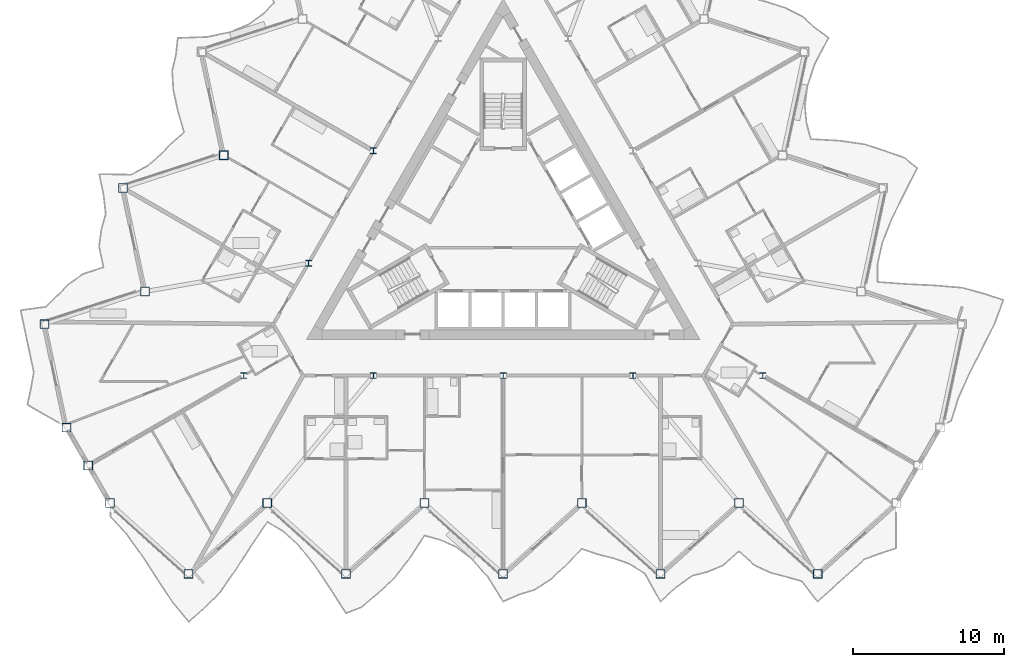
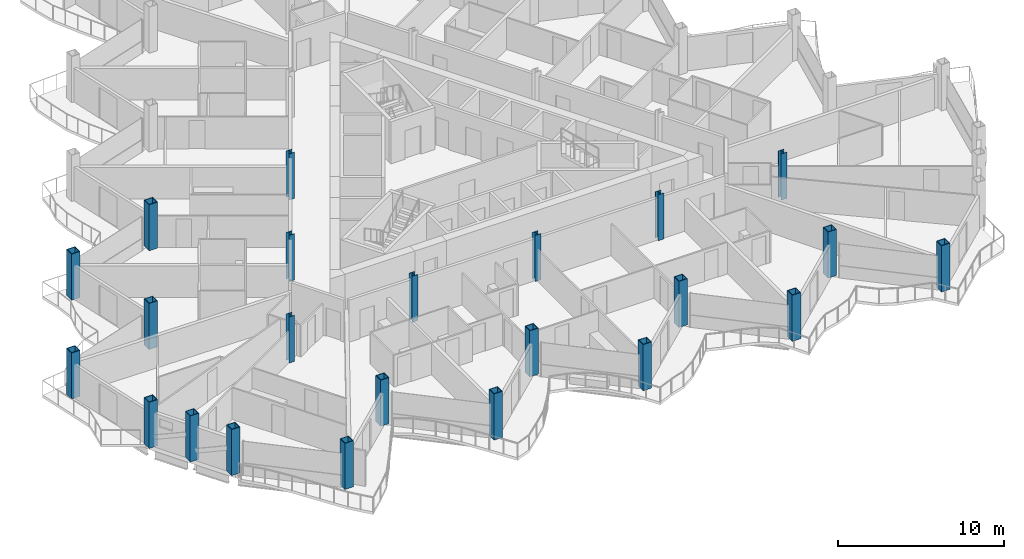
# One storey, part 1 of 27: 23 columns.
"""IFC4 building model written with IfcOpenShell, lengths in metres."""

import ifcopenshell
import ifcopenshell.guid

model = None  # the IFC model being written
_history = None  # IfcOwnerHistory: only IFC2X3 demands one
_inside = {}  # id of a spatial element -> (the spatial element, [elements in it])
_under = {}  # id of a project, library or spatial element -> (it, [spatial elements below it])
_declared = {}  # id of a project -> (the project, [libraries it declares])
_typed = {}  # id of a type object -> (the type object, [elements of that type])
_made_of = {}  # id of a material, layer set ... -> (it, [elements and type objects made of it])


def new_model(schema):
    """Start an empty IFC model of exactly this schema.

    Asked for "IFC4X3", IfcOpenShell would pick the latest addendum, in which some entities
    have other attributes; the version numbers below select the first issue.
    IFC2X3 requires an IfcOwnerHistory on every rooted entity: one is made here for all.
    """
    global model, _history
    if schema == "IFC4X3":
        model = ifcopenshell.file(schema_version=(4, 3, 0, 0))
    else:
        model = ifcopenshell.file(schema=schema)
    _inside.clear()
    _under.clear()
    _declared.clear()
    _typed.clear()
    _made_of.clear()
    _history = None
    if model.schema == "IFC2X3":
        org = make("IfcOrganization", Name="unknown")
        user = make(
            "IfcPersonAndOrganization",
            ThePerson=make("IfcPerson", FamilyName="unknown"),
            TheOrganization=org,
        )
        app = make(
            "IfcApplication",
            ApplicationDeveloper=org,
            Version="unknown",
            ApplicationFullName="unknown",
            ApplicationIdentifier="unknown",
        )
        _history = make(
            "IfcOwnerHistory",
            OwningUser=user,
            OwningApplication=app,
            ChangeAction="ADDED",
            CreationDate=0,
        )
    return model


def make(cls, **values):
    """One entity of the class cls with the attributes given. An attribute that is None is left unset."""
    return model.create_entity(
        cls, **{name: value for name, value in values.items() if value is not None}
    )


def rooted(cls, **values):
    """An entity with a GlobalId (a new one), such as an element, a storey or a relation."""
    return make(cls, GlobalId=ifcopenshell.guid.new(), OwnerHistory=_history, **values)


def si_unit(unit_type, name, prefix=None):
    """IfcSIUnit, for example si_unit("LENGTHUNIT", "METRE", prefix="MILLI")."""
    return make("IfcSIUnit", UnitType=unit_type, Prefix=prefix, Name=name)


def assignment(units):
    """IfcUnitAssignment: the units of a project."""
    return None if units is None else make("IfcUnitAssignment", Units=units)


def point(xyz):
    """IfcCartesianPoint."""
    return None if xyz is None else make("IfcCartesianPoint", Coordinates=xyz)


def direction(xyz):
    """IfcDirection."""
    return None if xyz is None else make("IfcDirection", DirectionRatios=xyz)


def frame(location, z_axis=None, x_axis=None):
    """IfcAxis2Placement3D, a coordinate frame: its origin and axes. An axis left out is left unset."""
    return make(
        "IfcAxis2Placement3D",
        Location=point(location),
        Axis=direction(z_axis),
        RefDirection=direction(x_axis),
    )


def frame_2d(location, x_axis=None):
    """IfcAxis2Placement2D, a coordinate frame in the plane: its origin and x axis."""
    return make(
        "IfcAxis2Placement2D", Location=point(location), RefDirection=direction(x_axis)
    )


def origin():
    """The frame at (0, 0, 0) with its axes left unset."""
    return frame((0.0, 0.0, 0.0))


def origin_2d():
    """The frame at (0, 0) in the plane with its x axis left unset."""
    return frame_2d((0.0, 0.0))


def place(relative_to, where):
    """IfcLocalPlacement: puts the frame where relative to a parent placement (None: the world)."""
    return make(
        "IfcLocalPlacement", PlacementRelTo=relative_to, RelativePlacement=where
    )


def context(
    kind, dimensions, precision=None, world=None, true_north=None, identifier=None
):
    """IfcGeometricRepresentationContext, for example the 3D "Model" context."""
    return make(
        "IfcGeometricRepresentationContext",
        ContextIdentifier=identifier,
        ContextType=kind,
        CoordinateSpaceDimension=dimensions,
        Precision=precision,
        WorldCoordinateSystem=world,
        TrueNorth=true_north,
    )


def subcontext(parent, identifier, kind, view, scale=None):
    """IfcGeometricRepresentationSubContext, for example "Body" below "Model"."""
    return make(
        "IfcGeometricRepresentationSubContext",
        ContextIdentifier=identifier,
        ContextType=kind,
        ParentContext=parent,
        TargetScale=scale,
        TargetView=view,
    )


def project(units=None, contexts=None):
    """IfcProject with its units and contexts."""
    return rooted(
        "IfcProject",
        Name="project",
        RepresentationContexts=contexts,
        UnitsInContext=assignment(units),
    )


def spatial(cls, under=None, at=None, **own):
    """A site, building, storey or space (cls), placed at a placement, below another one or the project."""
    s = rooted(cls, ObjectPlacement=at, **own)
    if under is not None:
        _under.setdefault(under.id(), (under, []))[1].append(s)
    return s


def profile(cls, at=None, kind="AREA", **sizes):
    """A parametric profile (cls). Its sizes go by their IFC names, for example OverallWidth=200.0."""
    return make(cls, ProfileType=kind, Position=at, **sizes)


def hollow_rectangle(**sizes):
    """IfcRectangleHollowProfileDef."""
    return profile("IfcRectangleHollowProfileDef", **sizes)


def i_section(**sizes):
    """IfcIShapeProfileDef."""
    return profile("IfcIShapeProfileDef", **sizes)


def extrude(swept, where, along, depth):
    """IfcExtrudedAreaSolid: the profile swept, set in the frame where, extruded along a direction by depth."""
    return make(
        "IfcExtrudedAreaSolid",
        SweptArea=swept,
        Position=where,
        ExtrudedDirection=direction(along),
        Depth=depth,
    )


def shape(context_of_items, identifier, shape_type, items):
    """IfcShapeRepresentation: the items that make up one representation, for example the "Body"."""
    return make(
        "IfcShapeRepresentation",
        ContextOfItems=context_of_items,
        RepresentationIdentifier=identifier,
        RepresentationType=shape_type,
        Items=items,
    )


def material(Name=None, Category=None):
    """IfcMaterial."""
    return make("IfcMaterial", Name=Name, Category=Category)


def material_profile(
    of_material, cross_section, Name=None, Category=None, Priority=None
):
    """IfcMaterialProfile: a cross section and its material."""
    return make(
        "IfcMaterialProfile",
        Name=Name,
        Material=of_material,
        Profile=cross_section,
        Priority=Priority,
        Category=Category,
    )


def profile_set(profiles, Name=None, composite=None):
    """IfcMaterialProfileSet."""
    return make(
        "IfcMaterialProfileSet",
        Name=Name,
        MaterialProfiles=profiles,
        CompositeProfile=composite,
    )


def made_of(thing, what):
    """Note that an element or type object is made of a material, layer set ...; save() writes the relation."""
    if what is not None:
        _made_of.setdefault(what.id(), (what, []))[1].append(thing)
    return thing


def type_object(cls, material=None, **own):
    """A type object (cls), such as IfcWallType, which elements share."""
    return made_of(rooted(cls, **own), material)


def element(
    cls,
    number,
    at=None,
    inside=None,
    cuts=None,
    type_object=None,
    material=None,
    context=None,
    identifier="Body",
    shape_type=None,
    held_by="IfcProductDefinitionShape",
    body=None,
    shapes=None,
    **own,
):
    """One element of the class cls, such as IfcWall. Its Tag is "e" and its number.

    at: its placement. inside: the storey or other place that contains it. cuts: it is an
    opening in that element (IfcRelVoidsElement). A single representation is given by context,
    identifier, shape_type and body (its items); several are given by shapes. held_by: the class
    of the entity that holds the representations. save() writes the other relations.
    """
    e = rooted(cls, Tag="e%d" % number, ObjectPlacement=at, **own)
    if body is not None:
        shapes = [shape(context, identifier, shape_type, body)]
    if shapes is not None:
        e.Representation = make(held_by, Representations=shapes)
    if inside is not None:
        _inside.setdefault(inside.id(), (inside, []))[1].append(e)
    if cuts is not None:
        rooted(
            "IfcRelVoidsElement", RelatingBuildingElement=cuts, RelatedOpeningElement=e
        )
    if type_object is not None:
        _typed.setdefault(type_object.id(), (type_object, []))[1].append(e)
    return made_of(e, material)


def aggregate(whole, parts):
    """IfcRelAggregates: a whole, such as a stair, and the parts it consists of."""
    return rooted("IfcRelAggregates", RelatingObject=whole, RelatedObjects=parts)


def save(model, path):
    """Write the relations noted so far, then the file.

    IfcRelAggregates (storeys below a building ...), IfcRelContainedInSpatialStructure (elements
    in a storey), IfcRelDefinesByType, IfcRelAssociatesMaterial and IfcRelDeclares: one each for
    every whole, place, type object, material and project.
    """
    for whole, parts in _under.values():
        aggregate(whole, parts)
    for where, things in _inside.values():
        rooted(
            "IfcRelContainedInSpatialStructure",
            RelatedElements=things,
            RelatingStructure=where,
        )
    for kind, things in _typed.values():
        rooted("IfcRelDefinesByType", RelatedObjects=things, RelatingType=kind)
    for what, things in _made_of.values():
        rooted("IfcRelAssociatesMaterial", RelatedObjects=things, RelatingMaterial=what)
    for by, libraries in _declared.values():
        rooted("IfcRelDeclares", RelatingContext=by, RelatedDefinitions=libraries)
    model.write(path)


model = new_model("IFC4")

# Units and contexts
model_context = context("Model", 3, precision=1e-05, world=origin(), true_north=direction((0.0, 1.0)))
body_context = subcontext(model_context, "Body", "Model", "MODEL_VIEW")
ifc_project = project(units=[si_unit("LENGTHUNIT", "METRE"), si_unit("AREAUNIT", "SQUARE_METRE"), si_unit("VOLUMEUNIT", "CUBIC_METRE"), si_unit("PLANEANGLEUNIT", "RADIAN"), si_unit("MASSUNIT", "GRAM", prefix="KILO")], contexts=[model_context])

# Site, building, storey
site_placement = place(None, origin())
site = spatial("IfcSite", under=ifc_project, at=site_placement, CompositionType="ELEMENT")
building_placement = place(site_placement, origin())
building = spatial("IfcBuilding", under=site, at=building_placement, Name="Cormorant Prow Tower", CompositionType="ELEMENT")
storey_placement = place(building_placement, frame((0.0, 0.0, 335.800048828125)))
storey = spatial("IfcBuildingStorey", under=building, at=storey_placement, Name="L75", CompositionType="ELEMENT", Elevation=335.800048828125)

# Columns
ifc_material_1 = material(Name="Structural steel ASTM A572 Gr 50", Category="steel")
ifc_material_profile_1 = material_profile(ifc_material_1, hollow_rectangle(XDim=0.60009765625, YDim=0.60009765625, WallThickness=0.0400390625, at=origin_2d()), Name="Box 600x600x40")
ifc_profile_set_1 = profile_set([ifc_material_profile_1], Name="Structural steel ASTM A572 Gr 50")
column_type_1 = type_object("IfcColumnType", Name="Perimeter box column 600x600x40", PredefinedType="COLUMN", material=ifc_profile_set_1)
for number, where, z_axis, x_axis, name in (
    (1, (-25.995361328125, -18.326904296875, 0.0), (0.0, 0.0, 1.0), (1.0, 0.0, 0.0), "Perimeter column C6 at S00 L75"),
    (2, (-20.79638671875, -23.008056640625, 0.0), (0.0, 0.0, 1.0), (1.0, 0.0, 0.0), "Perimeter column C6 at S01 L75"),
    (3, (-15.59716796875, -18.326904296875, 0.0), (0.0, 0.0, 1.0), (1.0, 0.0, 0.0), "Perimeter column C6 at S02 L75"),
    (4, (-10.398193359375, -23.008056640625, 0.0), (0.0, 0.0, 1.0), (1.0, 0.0, 0.0), "Perimeter column C6 at S03 L75"),
    (5, (-5.198974609375, -18.326904296875, 0.0), (0.0, 0.0, 1.0), (1.0, 0.0, 0.0), "Perimeter column C6 at S04 L75"),
    (6, (0.0, -23.008056640625, 0.0), (0.0, 0.0, 1.0), (1.0, 0.0, 0.0), "Perimeter column C6 at S05 L75"),
    (7, (5.198974609375, -18.326904296875, 0.0), (0.0, 0.0, 1.0), (1.0, 0.0, 0.0), "Perimeter column C6 at S06 L75"),
    (8, (10.398193359375, -23.008056640625, 0.0), (0.0, 0.0, 1.0), (1.0, 0.0, 0.0), "Perimeter column C6 at S07 L75"),
    (9, (15.59716796875, -18.326904296875, 0.0), (0.0, 0.0, 1.0), (1.0, 0.0, 0.0), "Perimeter column C6 at S08 L75"),
    (10, (20.79638671875, -23.008056640625, 0.0), (0.0, 0.0, 1.0), (1.0, 0.0, 0.0), "Perimeter column C6 at S09 L75"),
    (11, (-18.470947265625, 4.660888671875, 0.0), (0.0, 0.0, 1.0), (1.0, 0.0, 0.0), "Perimeter column C6 at WNW06 L75"),
    (12, (-25.124755859375, 2.4990234375, 0.0), (0.0, 0.0, 1.0), (1.0, 0.0, 0.0), "Perimeter column C6 at WNW07 L75"),
    (13, (-23.670166015625, -4.34423828125, 0.0), (0.0, 0.0, 1.0), (1.0, 0.0, 0.0), "Perimeter column C6 at WNW08 L75"),
    (14, (-30.32373046875, -6.506103515625, 0.0), (0.0, 0.0, 1.0), (1.0, 0.0, 0.0), "Perimeter column C6 at WNW09 L75"),
    (15, (-28.869140625, -13.349365234375, 0.0), (0.0, 0.0, 1.0), (1.0, 0.0, 0.0), "Perimeter column C6 at WSW00 L75"),
    (16, (-27.432373046875, -15.838134765625, 0.0), (0.0, 0.0, 1.0), (1.0, 0.0, 0.0), "Perimeter column C6 at WSW01 L75"),
):
    element("IfcColumn", number, at=place(storey_placement, frame(where, z_axis=z_axis, x_axis=x_axis)), inside=storey, type_object=column_type_1, Name=name, PredefinedType="COLUMN", context=body_context, shape_type="SweptSolid", body=[
        extrude(hollow_rectangle(XDim=0.60009765625, YDim=0.60009765625, WallThickness=0.0400390625, at=origin_2d()), origin(), (0.0, 0.0, 1.0), 3.39990234375),
    ])
ifc_material_2 = material(Name="Structural steel ASTM A992 Gr 50", Category="steel")
ifc_material_profile_2 = material_profile(ifc_material_2, i_section(OverallWidth=0.3955078125, OverallDepth=0.380615234375, WebThickness=0.018798828125, FlangeThickness=0.0302734375, at=origin_2d()), Name="W14x159")
ifc_profile_set_2 = profile_set([ifc_material_profile_2], Name="Structural steel ASTM A992 Gr 50")
column_type_2 = type_object("IfcColumnType", Name="Ring column W14x159", PredefinedType="COLUMN", material=ifc_profile_set_2)
for number, where, z_axis, x_axis, name in (
    (17, (-8.578369140625, 4.952880859375, 0.0), (0.0, 0.0, 1.0), (1.0, 0.0, 0.0), "Ring column 3 L75"),
    (18, (-12.86767578125, -2.476318359375, 0.0), (0.0, 0.0, 1.0), (1.0, 0.0, 0.0), "Ring column 4 L75"),
    (19, (-17.156982421875, -9.905517578125, 0.0), (0.0, 0.0, 1.0), (1.0, 0.0, 0.0), "Ring column 5 L75"),
    (20, (-8.578369140625, -9.905517578125, 0.0), (0.0, 0.0, 1.0), (1.0, 0.0, 0.0), "Ring column 6 L75"),
    (21, (0.0, -9.905517578125, 0.0), (0.0, 0.0, 1.0), (1.0, 0.0, 0.0), "Ring column 7 L75"),
    (22, (8.578369140625, -9.905517578125, 0.0), (0.0, 0.0, 1.0), (1.0, 0.0, 0.0), "Ring column 8 L75"),
    (23, (17.156982421875, -9.905517578125, 0.0), (0.0, 0.0, 1.0), (1.0, 0.0, 0.0), "Ring column 9 L75"),
):
    element("IfcColumn", number, at=place(storey_placement, frame(where, z_axis=z_axis, x_axis=x_axis)), inside=storey, type_object=column_type_2, Name=name, PredefinedType="COLUMN", context=body_context, shape_type="SweptSolid", body=[
        extrude(i_section(OverallWidth=0.3955078125, OverallDepth=0.380615234375, WebThickness=0.018798828125, FlangeThickness=0.0302734375, at=origin_2d()), origin(), (0.0, 0.0, 1.0), 3.39990234375),
    ])

save(model, "model.ifc")
